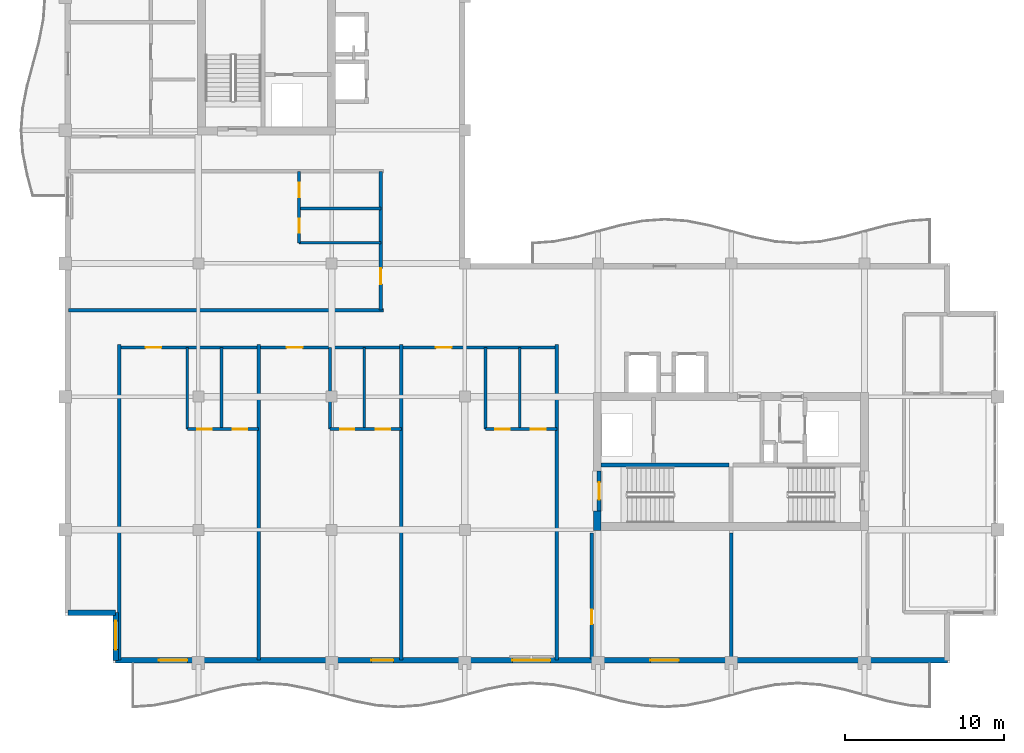
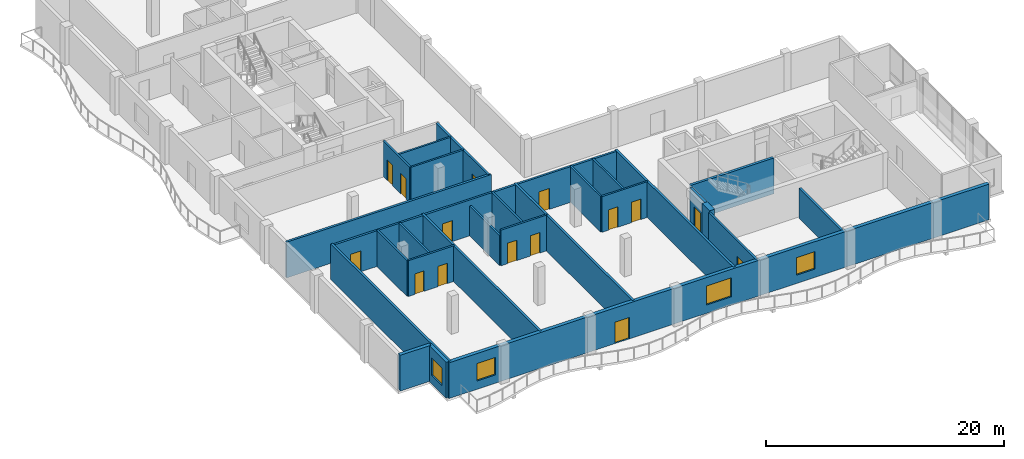
# One storey, part 6 of 14: 27 walls, 15 doors, 4 windows, 19 openings.
"""IFC4 building model written with IfcOpenShell, lengths in metres."""

from ifc_helpers import new_model, si_unit, direction, frame, frame_2d, origin, place, context, subcontext, project, spatial, rectangle, extrude, material, layer, layer_set, type_object, element, fill, save


model = new_model("IFC4")

# Units and contexts
model_context = context("Model", 3, precision=1e-05, world=origin(), true_north=direction((0.0, 1.0)))
body_context = subcontext(model_context, "Body", "Model", "MODEL_VIEW")
ifc_project = project(units=[si_unit("LENGTHUNIT", "METRE"), si_unit("AREAUNIT", "SQUARE_METRE"), si_unit("VOLUMEUNIT", "CUBIC_METRE"), si_unit("PLANEANGLEUNIT", "RADIAN"), si_unit("MASSUNIT", "GRAM", prefix="KILO")], contexts=[model_context])

# Site, building, storey
site_placement = place(None, origin())
site = spatial("IfcSite", under=ifc_project, at=site_placement, CompositionType="ELEMENT")
building_placement = place(site_placement, origin())
building = spatial("IfcBuilding", under=site, at=building_placement, Name="Koriwani Terraces Tower", CompositionType="ELEMENT")
storey_placement = place(building_placement, frame((0.0, 0.0, 308.60009765625)))
storey = spatial("IfcBuildingStorey", under=building, at=storey_placement, Name="L76", CompositionType="ELEMENT", Elevation=308.60009765625)

# Wall
ifc_material_1 = material(Name="Concrete C50/60", Category="concrete")
ifc_layer_1 = layer(ifc_material_1, 0.5, Name="Concrete C50/60")
ifc_layer_set_1 = layer_set([ifc_layer_1], Name="Concrete C50/60")
wall_type_1 = type_object("IfcWallType", Name="WALL_CORE_RC_500", PredefinedType="SHEAR", material=ifc_layer_set_1)
wall_1_placement = place(storey_placement, frame((41.949951171875, 16.75, 0.0), z_axis=(0.0, 0.0, 1.0), x_axis=(0.0, 1.0, 0.0)))
element("IfcWall", 1, at=wall_1_placement, inside=storey, type_object=wall_type_1, Name="L76 East Split Core Shear Wall W1", PredefinedType="SHEAR", context=body_context, shape_type="SweptSolid", body=[
    extrude(rectangle(XDim=1.25, YDim=0.5, at=frame_2d((0.625, 0.0))), origin(), (0.0, 0.0, 1.0), 3.669921875),
])

# Wall, opening, door
ifc_material_2 = material(Name="Autoclaved Cellular Concrete Blockwork", Category="masonry")
ifc_layer_2 = layer(ifc_material_2, 0.199951171875, Name="Autoclaved Cellular Concrete Blockwork")
ifc_layer_set_2 = layer_set([ifc_layer_2], Name="Autoclaved Cellular Concrete Blockwork")
wall_type_2 = type_object("IfcWallType", Name="WALL_CORRIDOR_200", PredefinedType="PARTITIONING", material=ifc_layer_set_2)
wall_2_placement = place(storey_placement, frame((41.60009765625, 8.64990234375, 0.0), z_axis=(0.0, 0.0, 1.0), x_axis=(0.0, 1.0, 0.0)))
wall_2 = element("IfcWall", 2, at=wall_2_placement, inside=storey, type_object=wall_type_2, Name="L76 Interior Wall WRZ4-EW-L76", PredefinedType="PARTITIONING", context=body_context, shape_type="SweptSolid", body=[
    extrude(rectangle(XDim=7.9501953125, YDim=0.199951171875, at=frame_2d((3.97509765625, 0.0))), origin(), (0.0, 0.0, 1.0), 3.669921875),
])
opening_1_placement = place(wall_2_placement, frame((2.199951171875, 0.0, 0.0)))
opening_1 = element("IfcOpeningElement", 3, at=opening_1_placement, cuts=wall_2, Name="Opening D-06", PredefinedType="OPENING", context=body_context, shape_type="SweptSolid", body=[
    extrude(rectangle(XDim=0.919921875, YDim=2.10009765625, at=frame_2d((0.4599609375, 1.050048828125))), frame((0.0, 0.10986328125, 0.0), z_axis=(0.0, -1.0, 0.0), x_axis=(1.0, 0.0, 0.0)), (0.0, 0.0, 1.0), 0.219970703125),
])
ifc_material_3 = material(Name="Architectural Oak Fire Door", Category="wood")
door_type_1 = type_object("IfcDoorType", Name="DOOR_ROOM_INT_920X2100", OperationType="NOTDEFINED", PredefinedType="DOOR", material=ifc_material_3)
door_1_placement = place(opening_1_placement, origin())
door_1 = element("IfcDoor", 4, at=door_1_placement, inside=storey, type_object=door_type_1, Name="L76 Resident Library Study Door", OperationType="SINGLE_SWING_RIGHT", OverallHeight=2.10009765625, OverallWidth=0.919921875, PredefinedType="DOOR", context=body_context, shape_type="SweptSolid", body=[
    extrude(rectangle(XDim=0.919921875, YDim=2.10009765625, at=frame_2d((0.4599609375, 1.050048828125))), frame((0.0, 0.02490234375, 0.0), z_axis=(0.0, -1.0, 0.0), x_axis=(1.0, 0.0, 0.0)), (0.0, 0.0, 1.0), 0.050048828125),
])
fill(opening_1, door_1)

# Wall, openings, doors
wall_3_placement = place(storey_placement, frame((11.800048828125, 28.300048828125, 0.0), z_axis=(0.0, 0.0, 1.0), x_axis=(1.0, 0.0, 0.0)))
wall_3 = element("IfcWall", 5, at=wall_3_placement, inside=storey, type_object=wall_type_2, Name="L76 Interior Wall WRCOR-L76-SW-0", PredefinedType="PARTITIONING", context=body_context, shape_type="SweptSolid", body=[
    extrude(rectangle(XDim=27.599853515625, YDim=0.199951171875, at=frame_2d((13.7998046875, 0.0))), origin(), (0.0, 0.0, 1.0), 3.669921875),
])
opening_2_placement = place(wall_3_placement, frame((1.669921875, 0.0, 0.0)))
opening_2 = element("IfcOpeningElement", 6, at=opening_2_placement, cuts=wall_3, Name="Opening D-05", PredefinedType="OPENING", context=body_context, shape_type="SweptSolid", body=[
    extrude(rectangle(XDim=1.0, YDim=2.14990234375, at=frame_2d((0.5, 1.074951171875))), frame((0.0, 0.10986328125, 0.0), z_axis=(0.0, -1.0, 0.0), x_axis=(1.0, 0.0, 0.0)), (0.0, 0.0, 1.0), 0.219970703125),
])
opening_3_placement = place(wall_3_placement, frame((10.570068359375, 0.0, 0.0)))
opening_3 = element("IfcOpeningElement", 7, at=opening_3_placement, cuts=wall_3, Name="Opening D-05", PredefinedType="OPENING", context=body_context, shape_type="SweptSolid", body=[
    extrude(rectangle(XDim=1.0, YDim=2.14990234375, at=frame_2d((0.5, 1.074951171875))), frame((0.0, 0.10986328125, 0.0), z_axis=(0.0, -1.0, 0.0), x_axis=(1.0, 0.0, 0.0)), (0.0, 0.0, 1.0), 0.219970703125),
])
opening_4_placement = place(wall_3_placement, frame((19.969970703125, 0.0, 0.0)))
opening_4 = element("IfcOpeningElement", 8, at=opening_4_placement, cuts=wall_3, Name="Opening D-05", PredefinedType="OPENING", context=body_context, shape_type="SweptSolid", body=[
    extrude(rectangle(XDim=1.0, YDim=2.14990234375, at=frame_2d((0.5, 1.074951171875))), frame((0.0, 0.10986328125, 0.0), z_axis=(0.0, -1.0, 0.0), x_axis=(1.0, 0.0, 0.0)), (0.0, 0.0, 1.0), 0.219970703125),
])
door_type_2 = type_object("IfcDoorType", Name="DOOR_SUITE_ENTRY_1000X2150", OperationType="NOTDEFINED", PredefinedType="DOOR", material=ifc_material_3)
door_2_placement = place(opening_2_placement, origin())
door_2 = element("IfcDoor", 9, at=door_2_placement, inside=storey, type_object=door_type_2, Name="Apartment 76SW1 Entrance Door", OperationType="SINGLE_SWING_RIGHT", OverallHeight=2.14990234375, OverallWidth=1.0, PredefinedType="DOOR", context=body_context, shape_type="SweptSolid", body=[
    extrude(rectangle(XDim=1.0, YDim=2.14990234375, at=frame_2d((0.5, 1.074951171875))), frame((0.0, 0.02490234375, 0.0), z_axis=(0.0, -1.0, 0.0), x_axis=(1.0, 0.0, 0.0)), (0.0, 0.0, 1.0), 0.050048828125),
])
fill(opening_2, door_2)
door_3_placement = place(opening_3_placement, origin())
door_3 = element("IfcDoor", 10, at=door_3_placement, inside=storey, type_object=door_type_2, Name="Apartment 76SW2 Entrance Door", OperationType="SINGLE_SWING_LEFT", OverallHeight=2.14990234375, OverallWidth=1.0, PredefinedType="DOOR", context=body_context, shape_type="SweptSolid", body=[
    extrude(rectangle(XDim=1.0, YDim=2.14990234375, at=frame_2d((0.5, 1.074951171875))), frame((0.0, 0.02490234375, 0.0), z_axis=(0.0, -1.0, 0.0), x_axis=(1.0, 0.0, 0.0)), (0.0, 0.0, 1.0), 0.050048828125),
])
fill(opening_3, door_3)
door_4_placement = place(opening_4_placement, origin())
door_4 = element("IfcDoor", 11, at=door_4_placement, inside=storey, type_object=door_type_2, Name="Apartment 76SW3 Entrance Door", OperationType="SINGLE_SWING_RIGHT", OverallHeight=2.14990234375, OverallWidth=1.0, PredefinedType="DOOR", context=body_context, shape_type="SweptSolid", body=[
    extrude(rectangle(XDim=1.0, YDim=2.14990234375, at=frame_2d((0.5, 1.074951171875))), frame((0.0, 0.02490234375, 0.0), z_axis=(0.0, -1.0, 0.0), x_axis=(1.0, 0.0, 0.0)), (0.0, 0.0, 1.0), 0.050048828125),
])
fill(opening_4, door_4)

# Wall, opening, door
wall_4_placement = place(storey_placement, frame((28.300048828125, 30.64990234375, 0.0), z_axis=(0.0, 0.0, 1.0), x_axis=(0.0, 1.0, 0.0)))
wall_4 = element("IfcWall", 12, at=wall_4_placement, inside=storey, type_object=wall_type_2, Name="L76 Interior Wall WRCOR-L76-NE-0", PredefinedType="PARTITIONING", context=body_context, shape_type="SweptSolid", body=[
    extrude(rectangle(XDim=8.75, YDim=0.199951171875, at=frame_2d((4.375, 0.0))), origin(), (0.0, 0.0, 1.0), 3.669921875),
])
opening_5_placement = place(wall_4_placement, frame((1.64501953125, 0.0, 0.0)))
opening_5 = element("IfcOpeningElement", 13, at=opening_5_placement, cuts=wall_4, Name="Opening D-05", PredefinedType="OPENING", context=body_context, shape_type="SweptSolid", body=[
    extrude(rectangle(XDim=1.0, YDim=2.14990234375, at=frame_2d((0.5, 1.074951171875))), frame((0.0, 0.10986328125, 0.0), z_axis=(0.0, -1.0, 0.0), x_axis=(1.0, 0.0, 0.0)), (0.0, 0.0, 1.0), 0.219970703125),
])
door_5_placement = place(opening_5_placement, origin())
door_5 = element("IfcDoor", 14, at=door_5_placement, inside=storey, type_object=door_type_2, Name="Apartment 76NE1 Entrance Door", OperationType="SINGLE_SWING_LEFT", OverallHeight=2.14990234375, OverallWidth=1.0, PredefinedType="DOOR", context=body_context, shape_type="SweptSolid", body=[
    extrude(rectangle(XDim=1.0, YDim=2.14990234375, at=frame_2d((0.5, 1.074951171875))), frame((0.0, 0.02490234375, 0.0), z_axis=(0.0, -1.0, 0.0), x_axis=(1.0, 0.0, 0.0)), (0.0, 0.0, 1.0), 0.050048828125),
])
fill(opening_5, door_5)

# Walls
ifc_layer_3 = layer(ifc_material_2, 0.219970703125, Name="Autoclaved Cellular Concrete Blockwork")
ifc_layer_set_3 = layer_set([ifc_layer_3], Name="Autoclaved Cellular Concrete Blockwork")
wall_type_3 = type_object("IfcWallType", Name="WALL_DEMISING_220", PredefinedType="PARTITIONING", material=ifc_layer_set_3)
wall_5_placement = place(storey_placement, frame((50.39990234375, 8.64990234375, 0.0), z_axis=(0.0, 0.0, 1.0), x_axis=(0.0, 1.0, 0.0)))
element("IfcWall", 15, at=wall_5_placement, inside=storey, type_object=wall_type_3, Name="L76 Interior Wall WRZ4-EM-L76", PredefinedType="PARTITIONING", context=body_context, shape_type="SweptSolid", body=[
    extrude(rectangle(XDim=7.9501953125, YDim=0.219970703125, at=frame_2d((3.97509765625, 0.0))), origin(), (0.0, 0.0, 1.0), 3.06982421875),
])
for number, where, z_axis, x_axis, name in (
    (16, (11.800048828125, 8.60009765625, 0.0), (0.0, 0.0, 1.0), (0.0, 1.0, 0.0), "L76 Interior Wall WRDEM-L76-SW-0"),
    (17, (20.60009765625, 8.60009765625, 0.0), (0.0, 0.0, 1.0), (0.0, 1.0, 0.0), "L76 Interior Wall WRDEM-L76-SW-1"),
    (18, (29.60009765625, 8.60009765625, 0.0), (0.0, 0.0, 1.0), (0.0, 1.0, 0.0), "L76 Interior Wall WRDEM-L76-SW-2"),
    (19, (39.39990234375, 8.60009765625, 0.0), (0.0, 0.0, 1.0), (0.0, 1.0, 0.0), "L76 Interior Wall WRDEME-L76-SW"),
    (20, (8.60009765625, 30.64990234375, 0.0), (0.0, 0.0, 1.0), (1.0, 0.0, 0.0), "L76 Interior Wall WRDEM-L76-NE-0"),
):
    element("IfcWall", number, at=place(storey_placement, frame(where, z_axis=z_axis, x_axis=x_axis)), inside=storey, type_object=wall_type_3, Name=name, PredefinedType="PARTITIONING", context=body_context, shape_type="SweptSolid", body=[
        extrude(rectangle(XDim=19.8798828125, YDim=0.219970703125, at=frame_2d((9.93994140625, 0.0))), origin(), (0.0, 0.0, 1.0), 3.669921875),
    ])

# Wall, opening, window
ifc_layer_4 = layer(ifc_material_1, 0.35009765625, Name="Concrete C50/60")
ifc_layer_set_4 = layer_set([ifc_layer_4], Name="Concrete C50/60")
wall_type_4 = type_object("IfcWallType", Name="WALL_EXT_BRUTALIST_350", PredefinedType="STANDARD", material=ifc_layer_set_4)
wall_6_placement = place(storey_placement, frame((11.574951171875, 8.574951171875, 0.0), z_axis=(0.0, 0.0, 1.0), x_axis=(0.0, 1.0, 0.0)))
wall_6 = element("IfcWall", 21, at=wall_6_placement, inside=storey, type_object=wall_type_4, Name="L76 Fair-Faced Brutalist Exterior Wall (N0)", PredefinedType="STANDARD", context=body_context, shape_type="SweptSolid", body=[
    extrude(rectangle(XDim=3.0, YDim=0.35009765625, at=frame_2d((1.5, 0.0))), origin(), (0.0, 0.0, 1.0), 3.669921875),
])
opening_6_placement = place(wall_6_placement, frame((0.677490234375, 0.0, 0.85009765625)))
opening_6 = element("IfcOpeningElement", 22, at=opening_6_placement, cuts=wall_6, Name="Opening W-04", PredefinedType="OPENING", context=body_context, shape_type="SweptSolid", body=[
    extrude(rectangle(XDim=1.800048828125, YDim=1.800048828125, at=frame_2d((0.89990234375, 0.89990234375))), frame((0.0, 0.18505859375, 0.0), z_axis=(0.0, -1.0, 0.0), x_axis=(1.0, 0.0, 0.0)), (0.0, 0.0, 1.0), 0.3701171875),
])
ifc_material_4 = material(Name="Tempered Laminated Low-E Glass", Category="glass")
window_type_1 = type_object("IfcWindowType", Name="WIN_RES_BED_1800X1800", PartitioningType="DOUBLE_PANEL_VERTICAL", PredefinedType="WINDOW", material=ifc_material_4)
window_1_placement = place(opening_6_placement, origin())
window_1 = element("IfcWindow", 23, at=window_1_placement, inside=storey, type_object=window_type_1, Name="L76 Exterior Window (N0-R33)", OverallHeight=1.800048828125, OverallWidth=1.800048828125, PartitioningType="SINGLE_PANEL", PredefinedType="WINDOW", context=body_context, shape_type="SweptSolid", body=[
    extrude(rectangle(XDim=1.800048828125, YDim=1.800048828125, at=frame_2d((0.89990234375, 0.89990234375))), frame((0.0, 0.030029296875, 0.0), z_axis=(0.0, -1.0, 0.0), x_axis=(1.0, 0.0, 0.0)), (0.0, 0.0, 1.0), 0.06005859375),
])
fill(opening_6, window_1)

# Wall
wall_7_placement = place(storey_placement, frame((11.574951171875, 11.574951171875, 0.0), z_axis=(0.0, 0.0, 1.0), x_axis=(-1.0, 0.0, 0.0)))
element("IfcWall", 24, at=wall_7_placement, inside=storey, type_object=wall_type_4, Name="L76 Fair-Faced Brutalist Exterior Wall (N1)", PredefinedType="STANDARD", context=body_context, shape_type="SweptSolid", body=[
    extrude(rectangle(XDim=3.0, YDim=0.35009765625, at=frame_2d((1.5, 0.0))), origin(), (0.0, 0.0, 1.0), 3.669921875),
])

# Wall, openings, door, windows
wall_8_placement = place(storey_placement, frame((64.02490234375, 8.574951171875, 0.0), z_axis=(0.0, 0.0, 1.0), x_axis=(-1.0, 0.0, 0.0)))
wall_8 = element("IfcWall", 25, at=wall_8_placement, inside=storey, type_object=wall_type_4, Name="L76 Fair-Faced Brutalist Exterior Wall (S)", PredefinedType="STANDARD", context=body_context, shape_type="SweptSolid", body=[
    extrude(rectangle(XDim=52.449951171875, YDim=0.35009765625, at=frame_2d((26.22509765625, 0.0))), origin(), (0.0, 0.0, 1.0), 3.669921875),
])
opening_7_placement = place(wall_8_placement, frame((34.925048828125, 0.0, 0.0)))
opening_7 = element("IfcOpeningElement", 26, at=opening_7_placement, cuts=wall_8, Name="Opening D-09", PredefinedType="OPENING", context=body_context, shape_type="SweptSolid", body=[
    extrude(rectangle(XDim=1.39990234375, YDim=2.199951171875, at=frame_2d((0.699951171875, 1.10009765625))), frame((0.0, 0.18505859375, 0.0), z_axis=(0.0, -1.0, 0.0), x_axis=(1.0, 0.0, 0.0)), (0.0, 0.0, 1.0), 0.3701171875),
])
opening_8_placement = place(wall_8_placement, frame((25.02490234375, 0.0, 0.85009765625)))
opening_8 = element("IfcOpeningElement", 27, at=opening_8_placement, cuts=wall_8, Name="Opening W-03", PredefinedType="OPENING", context=body_context, shape_type="SweptSolid", body=[
    extrude(rectangle(XDim=2.39990234375, YDim=1.949951171875, at=frame_2d((1.199951171875, 0.97509765625))), frame((0.0, 0.18505859375, 0.0), z_axis=(0.0, -1.0, 0.0), x_axis=(1.0, 0.0, 0.0)), (0.0, 0.0, 1.0), 0.3701171875),
])
opening_9_placement = place(wall_8_placement, frame((16.925048828125, 0.0, 0.85009765625)))
opening_9 = element("IfcOpeningElement", 28, at=opening_9_placement, cuts=wall_8, Name="Opening W-04", PredefinedType="OPENING", context=body_context, shape_type="SweptSolid", body=[
    extrude(rectangle(XDim=1.800048828125, YDim=1.800048828125, at=frame_2d((0.89990234375, 0.89990234375))), frame((0.0, 0.18505859375, 0.0), z_axis=(0.0, -1.0, 0.0), x_axis=(1.0, 0.0, 0.0)), (0.0, 0.0, 1.0), 0.3701171875),
])
opening_10_placement = place(wall_8_placement, frame((47.925048828125, 0.0, 0.85009765625)))
opening_10 = element("IfcOpeningElement", 29, at=opening_10_placement, cuts=wall_8, Name="Opening W-04", PredefinedType="OPENING", context=body_context, shape_type="SweptSolid", body=[
    extrude(rectangle(XDim=1.800048828125, YDim=1.800048828125, at=frame_2d((0.89990234375, 0.89990234375))), frame((0.0, 0.18505859375, 0.0), z_axis=(0.0, -1.0, 0.0), x_axis=(1.0, 0.0, 0.0)), (0.0, 0.0, 1.0), 0.3701171875),
])
ifc_material_5 = material(Name="Anodised Bronze Aluminium", Category="aluminium")
door_type_3 = type_object("IfcDoorType", Name="DOOR_BALCONY_GLAZED_1400X2200", OperationType="NOTDEFINED", PredefinedType="DOOR", material=ifc_material_5)
door_6_placement = place(opening_7_placement, origin())
door_6 = element("IfcDoor", 30, at=door_6_placement, inside=storey, type_object=door_type_3, Name="L76 South Balcony Glazed Door", OperationType="SINGLE_SWING_LEFT", OverallHeight=2.199951171875, OverallWidth=1.39990234375, PredefinedType="DOOR", context=body_context, shape_type="SweptSolid", body=[
    extrude(rectangle(XDim=1.39990234375, YDim=2.199951171875, at=frame_2d((0.699951171875, 1.10009765625))), frame((0.0, 0.02490234375, 0.0), z_axis=(0.0, -1.0, 0.0), x_axis=(1.0, 0.0, 0.0)), (0.0, 0.0, 1.0), 0.050048828125),
])
fill(opening_7, door_6)
window_2_placement = place(opening_9_placement, origin())
window_2 = element("IfcWindow", 31, at=window_2_placement, inside=storey, type_object=window_type_1, Name="L76 Exterior Window (S-12)", OverallHeight=1.800048828125, OverallWidth=1.800048828125, PartitioningType="SINGLE_PANEL", PredefinedType="WINDOW", context=body_context, shape_type="SweptSolid", body=[
    extrude(rectangle(XDim=1.800048828125, YDim=1.800048828125, at=frame_2d((0.89990234375, 0.89990234375))), frame((0.0, 0.030029296875, 0.0), z_axis=(0.0, -1.0, 0.0), x_axis=(1.0, 0.0, 0.0)), (0.0, 0.0, 1.0), 0.06005859375),
])
fill(opening_9, window_2)
window_3_placement = place(opening_10_placement, origin())
window_3 = element("IfcWindow", 32, at=window_3_placement, inside=storey, type_object=window_type_1, Name="L76 Exterior Window (S-R33)", OverallHeight=1.800048828125, OverallWidth=1.800048828125, PartitioningType="SINGLE_PANEL", PredefinedType="WINDOW", context=body_context, shape_type="SweptSolid", body=[
    extrude(rectangle(XDim=1.800048828125, YDim=1.800048828125, at=frame_2d((0.89990234375, 0.89990234375))), frame((0.0, 0.030029296875, 0.0), z_axis=(0.0, -1.0, 0.0), x_axis=(1.0, 0.0, 0.0)), (0.0, 0.0, 1.0), 0.06005859375),
])
fill(opening_10, window_3)
window_type_2 = type_object("IfcWindowType", Name="WIN_RES_LIVING_2400X1950", PartitioningType="DOUBLE_PANEL_VERTICAL", PredefinedType="WINDOW", material=ifc_material_4)
window_4_placement = place(opening_8_placement, origin())
window_4 = element("IfcWindow", 33, at=window_4_placement, inside=storey, type_object=window_type_2, Name="L76 Exterior Window (S-9)", OverallHeight=1.949951171875, OverallWidth=2.39990234375, PartitioningType="SINGLE_PANEL", PredefinedType="WINDOW", context=body_context, shape_type="SweptSolid", body=[
    extrude(rectangle(XDim=2.39990234375, YDim=1.949951171875, at=frame_2d((1.199951171875, 0.97509765625))), frame((0.0, 0.030029296875, 0.0), z_axis=(0.0, -1.0, 0.0), x_axis=(1.0, 0.0, 0.0)), (0.0, 0.0, 1.0), 0.06005859375),
])
fill(opening_8, window_4)

# Wall, openings, doors
ifc_material_6 = material(Name="Fire-Rated Acoustic Gypsum Partition", Category="masonry")
ifc_layer_5 = layer(ifc_material_6, 0.179931640625, Name="Fire-Rated Acoustic Gypsum Partition")
ifc_layer_set_5 = layer_set([ifc_layer_5], Name="Fire-Rated Acoustic Gypsum Partition")
wall_type_5 = type_object("IfcWallType", Name="WALL_PLUMBING_180", PredefinedType="PLUMBINGWALL", material=ifc_layer_set_5)
wall_9_placement = place(storey_placement, frame((16.10009765625, 23.14990234375, 0.0), z_axis=(0.0, 0.0, 1.0), x_axis=(1.0, 0.0, 0.0)))
wall_9 = element("IfcWall", 34, at=wall_9_placement, inside=storey, type_object=wall_type_5, Name="L76 Interior Wall WRSVC-L76-SW-0", PredefinedType="PLUMBINGWALL", context=body_context, shape_type="SweptSolid", body=[
    extrude(rectangle(XDim=4.5, YDim=0.179931640625, at=frame_2d((2.25, 0.0))), origin(), (0.0, 0.0, 1.0), 3.669921875),
])
opening_11_placement = place(wall_9_placement, frame((0.6298828125, 0.0, 0.0)))
opening_11 = element("IfcOpeningElement", 35, at=opening_11_placement, cuts=wall_9, Name="Opening D-07", PredefinedType="OPENING", context=body_context, shape_type="SweptSolid", body=[
    extrude(rectangle(XDim=0.89990234375, YDim=2.10009765625, at=frame_2d((0.449951171875, 1.050048828125))), frame((0.0, 0.10009765625, 0.0), z_axis=(0.0, -1.0, 0.0), x_axis=(1.0, 0.0, 0.0)), (0.0, 0.0, 1.0), 0.199951171875),
])
opening_12_placement = place(wall_9_placement, frame((2.8701171875, 0.0, 0.0)))
opening_12 = element("IfcOpeningElement", 36, at=opening_12_placement, cuts=wall_9, Name="Opening D-06", PredefinedType="OPENING", context=body_context, shape_type="SweptSolid", body=[
    extrude(rectangle(XDim=0.919921875, YDim=2.10009765625, at=frame_2d((0.4599609375, 1.050048828125))), frame((0.0, 0.10009765625, 0.0), z_axis=(0.0, -1.0, 0.0), x_axis=(1.0, 0.0, 0.0)), (0.0, 0.0, 1.0), 0.199951171875),
])
door_type_4 = type_object("IfcDoorType", Name="DOOR_BATH_INT_900X2100", OperationType="NOTDEFINED", PredefinedType="DOOR", material=ifc_material_3)
door_7_placement = place(opening_11_placement, origin())
door_7 = element("IfcDoor", 37, at=door_7_placement, inside=storey, type_object=door_type_4, Name="Apartment 76SW1 Bathroom Door", OperationType="SINGLE_SWING_LEFT", OverallHeight=2.10009765625, OverallWidth=0.89990234375, PredefinedType="DOOR", context=body_context, shape_type="SweptSolid", body=[
    extrude(rectangle(XDim=0.89990234375, YDim=2.10009765625, at=frame_2d((0.449951171875, 1.050048828125))), frame((0.0, 0.02490234375, 0.0), z_axis=(0.0, -1.0, 0.0), x_axis=(1.0, 0.0, 0.0)), (0.0, 0.0, 1.0), 0.050048828125),
])
fill(opening_11, door_7)
door_8_placement = place(opening_12_placement, origin())
door_8 = element("IfcDoor", 38, at=door_8_placement, inside=storey, type_object=door_type_1, Name="Apartment 76SW1 Kitchen Door", OperationType="SINGLE_SWING_RIGHT", OverallHeight=2.10009765625, OverallWidth=0.919921875, PredefinedType="DOOR", context=body_context, shape_type="SweptSolid", body=[
    extrude(rectangle(XDim=0.919921875, YDim=2.10009765625, at=frame_2d((0.4599609375, 1.050048828125))), frame((0.0, 0.02490234375, 0.0), z_axis=(0.0, -1.0, 0.0), x_axis=(1.0, 0.0, 0.0)), (0.0, 0.0, 1.0), 0.050048828125),
])
fill(opening_12, door_8)

# Walls
for number, where, z_axis, x_axis, name in (
    (39, (16.10009765625, 23.14990234375, 0.0), (0.0, 0.0, 1.0), (0.0, 1.0, 0.0), "L76 Interior Wall WRSVCS-L76-SW-0"),
    (40, (18.260009765625, 23.14990234375, 0.0), (0.0, 0.0, 1.0), (0.0, 1.0, 0.0), "L76 Interior Wall WRSVCM-L76-SW-0"),
):
    element("IfcWall", number, at=place(storey_placement, frame(where, z_axis=z_axis, x_axis=x_axis)), inside=storey, type_object=wall_type_5, Name=name, PredefinedType="PLUMBINGWALL", context=body_context, shape_type="SweptSolid", body=[
        extrude(rectangle(XDim=5.150146484375, YDim=0.179931640625, at=frame_2d((2.5751953125, 0.0))), origin(), (0.0, 0.0, 1.0), 3.669921875),
    ])

# Wall, openings, doors
wall_10_placement = place(storey_placement, frame((25.10009765625, 23.14990234375, 0.0), z_axis=(0.0, 0.0, 1.0), x_axis=(1.0, 0.0, 0.0)))
wall_10 = element("IfcWall", 41, at=wall_10_placement, inside=storey, type_object=wall_type_5, Name="L76 Interior Wall WRSVC-L76-SW-1", PredefinedType="PLUMBINGWALL", context=body_context, shape_type="SweptSolid", body=[
    extrude(rectangle(XDim=4.5, YDim=0.179931640625, at=frame_2d((2.25, 0.0))), origin(), (0.0, 0.0, 1.0), 3.669921875),
])
opening_13_placement = place(wall_10_placement, frame((0.6298828125, 0.0, 0.0)))
opening_13 = element("IfcOpeningElement", 42, at=opening_13_placement, cuts=wall_10, Name="Opening D-07", PredefinedType="OPENING", context=body_context, shape_type="SweptSolid", body=[
    extrude(rectangle(XDim=0.89990234375, YDim=2.10009765625, at=frame_2d((0.449951171875, 1.050048828125))), frame((0.0, 0.10009765625, 0.0), z_axis=(0.0, -1.0, 0.0), x_axis=(1.0, 0.0, 0.0)), (0.0, 0.0, 1.0), 0.199951171875),
])
opening_14_placement = place(wall_10_placement, frame((2.8701171875, 0.0, 0.0)))
opening_14 = element("IfcOpeningElement", 43, at=opening_14_placement, cuts=wall_10, Name="Opening D-06", PredefinedType="OPENING", context=body_context, shape_type="SweptSolid", body=[
    extrude(rectangle(XDim=0.919921875, YDim=2.10009765625, at=frame_2d((0.4599609375, 1.050048828125))), frame((0.0, 0.10009765625, 0.0), z_axis=(0.0, -1.0, 0.0), x_axis=(1.0, 0.0, 0.0)), (0.0, 0.0, 1.0), 0.199951171875),
])
door_9_placement = place(opening_13_placement, origin())
door_9 = element("IfcDoor", 44, at=door_9_placement, inside=storey, type_object=door_type_4, Name="Apartment 76SW2 Bathroom Door", OperationType="SINGLE_SWING_RIGHT", OverallHeight=2.10009765625, OverallWidth=0.89990234375, PredefinedType="DOOR", context=body_context, shape_type="SweptSolid", body=[
    extrude(rectangle(XDim=0.89990234375, YDim=2.10009765625, at=frame_2d((0.449951171875, 1.050048828125))), frame((0.0, 0.02490234375, 0.0), z_axis=(0.0, -1.0, 0.0), x_axis=(1.0, 0.0, 0.0)), (0.0, 0.0, 1.0), 0.050048828125),
])
fill(opening_13, door_9)
door_10_placement = place(opening_14_placement, origin())
door_10 = element("IfcDoor", 45, at=door_10_placement, inside=storey, type_object=door_type_1, Name="Apartment 76SW2 Kitchen Door", OperationType="SINGLE_SWING_LEFT", OverallHeight=2.10009765625, OverallWidth=0.919921875, PredefinedType="DOOR", context=body_context, shape_type="SweptSolid", body=[
    extrude(rectangle(XDim=0.919921875, YDim=2.10009765625, at=frame_2d((0.4599609375, 1.050048828125))), frame((0.0, 0.02490234375, 0.0), z_axis=(0.0, -1.0, 0.0), x_axis=(1.0, 0.0, 0.0)), (0.0, 0.0, 1.0), 0.050048828125),
])
fill(opening_14, door_10)

# Walls
wall_11_placement = place(storey_placement, frame((25.10009765625, 23.14990234375, 0.0), z_axis=(0.0, 0.0, 1.0), x_axis=(0.0, 1.0, 0.0)))
element("IfcWall", 46, at=wall_11_placement, inside=storey, type_object=wall_type_5, Name="L76 Interior Wall WRSVCS-L76-SW-1", PredefinedType="PLUMBINGWALL", context=body_context, shape_type="SweptSolid", body=[
    extrude(rectangle(XDim=5.150146484375, YDim=0.179931640625, at=frame_2d((2.5751953125, 0.0))), origin(), (0.0, 0.0, 1.0), 3.06982421875),
])
wall_12_placement = place(storey_placement, frame((27.260009765625, 23.14990234375, 0.0), z_axis=(0.0, 0.0, 1.0), x_axis=(0.0, 1.0, 0.0)))
element("IfcWall", 47, at=wall_12_placement, inside=storey, type_object=wall_type_5, Name="L76 Interior Wall WRSVCM-L76-SW-1", PredefinedType="PLUMBINGWALL", context=body_context, shape_type="SweptSolid", body=[
    extrude(rectangle(XDim=5.150146484375, YDim=0.179931640625, at=frame_2d((2.5751953125, 0.0))), origin(), (0.0, 0.0, 1.0), 3.669921875),
])

# Wall, openings, doors
wall_13_placement = place(storey_placement, frame((34.89990234375, 23.14990234375, 0.0), z_axis=(0.0, 0.0, 1.0), x_axis=(1.0, 0.0, 0.0)))
wall_13 = element("IfcWall", 48, at=wall_13_placement, inside=storey, type_object=wall_type_5, Name="L76 Interior Wall WRSVC-L76-SW-2", PredefinedType="PLUMBINGWALL", context=body_context, shape_type="SweptSolid", body=[
    extrude(rectangle(XDim=4.5, YDim=0.179931640625, at=frame_2d((2.25, 0.0))), origin(), (0.0, 0.0, 1.0), 3.669921875),
])
opening_15_placement = place(wall_13_placement, frame((0.6298828125, 0.0, 0.0)))
opening_15 = element("IfcOpeningElement", 49, at=opening_15_placement, cuts=wall_13, Name="Opening D-07", PredefinedType="OPENING", context=body_context, shape_type="SweptSolid", body=[
    extrude(rectangle(XDim=0.89990234375, YDim=2.10009765625, at=frame_2d((0.449951171875, 1.050048828125))), frame((0.0, 0.10009765625, 0.0), z_axis=(0.0, -1.0, 0.0), x_axis=(1.0, 0.0, 0.0)), (0.0, 0.0, 1.0), 0.199951171875),
])
opening_16_placement = place(wall_13_placement, frame((2.8701171875, 0.0, 0.0)))
opening_16 = element("IfcOpeningElement", 50, at=opening_16_placement, cuts=wall_13, Name="Opening D-06", PredefinedType="OPENING", context=body_context, shape_type="SweptSolid", body=[
    extrude(rectangle(XDim=0.919921875, YDim=2.10009765625, at=frame_2d((0.4599609375, 1.050048828125))), frame((0.0, 0.10009765625, 0.0), z_axis=(0.0, -1.0, 0.0), x_axis=(1.0, 0.0, 0.0)), (0.0, 0.0, 1.0), 0.199951171875),
])
door_11_placement = place(opening_15_placement, origin())
door_11 = element("IfcDoor", 51, at=door_11_placement, inside=storey, type_object=door_type_4, Name="Apartment 76SW3 Bathroom Door", OperationType="SINGLE_SWING_LEFT", OverallHeight=2.10009765625, OverallWidth=0.89990234375, PredefinedType="DOOR", context=body_context, shape_type="SweptSolid", body=[
    extrude(rectangle(XDim=0.89990234375, YDim=2.10009765625, at=frame_2d((0.449951171875, 1.050048828125))), frame((0.0, 0.02490234375, 0.0), z_axis=(0.0, -1.0, 0.0), x_axis=(1.0, 0.0, 0.0)), (0.0, 0.0, 1.0), 0.050048828125),
])
fill(opening_15, door_11)
door_12_placement = place(opening_16_placement, origin())
door_12 = element("IfcDoor", 52, at=door_12_placement, inside=storey, type_object=door_type_1, Name="Apartment 76SW3 Kitchen Door", OperationType="SINGLE_SWING_RIGHT", OverallHeight=2.10009765625, OverallWidth=0.919921875, PredefinedType="DOOR", context=body_context, shape_type="SweptSolid", body=[
    extrude(rectangle(XDim=0.919921875, YDim=2.10009765625, at=frame_2d((0.4599609375, 1.050048828125))), frame((0.0, 0.02490234375, 0.0), z_axis=(0.0, -1.0, 0.0), x_axis=(1.0, 0.0, 0.0)), (0.0, 0.0, 1.0), 0.050048828125),
])
fill(opening_16, door_12)

# Walls
for number, where, z_axis, x_axis, name in (
    (53, (34.89990234375, 23.14990234375, 0.0), (0.0, 0.0, 1.0), (0.0, 1.0, 0.0), "L76 Interior Wall WRSVCS-L76-SW-2"),
    (54, (37.06005859375, 23.14990234375, 0.0), (0.0, 0.0, 1.0), (0.0, 1.0, 0.0), "L76 Interior Wall WRSVCM-L76-SW-2"),
):
    element("IfcWall", number, at=place(storey_placement, frame(where, z_axis=z_axis, x_axis=x_axis)), inside=storey, type_object=wall_type_5, Name=name, PredefinedType="PLUMBINGWALL", context=body_context, shape_type="SweptSolid", body=[
        extrude(rectangle(XDim=5.150146484375, YDim=0.179931640625, at=frame_2d((2.5751953125, 0.0))), origin(), (0.0, 0.0, 1.0), 3.669921875),
    ])

# Wall, openings, doors
wall_14_placement = place(storey_placement, frame((23.14990234375, 34.89990234375, 0.0), z_axis=(0.0, 0.0, 1.0), x_axis=(0.0, 1.0, 0.0)))
wall_14 = element("IfcWall", 55, at=wall_14_placement, inside=storey, type_object=wall_type_5, Name="L76 Interior Wall WRSVC-L76-NE-0", PredefinedType="PLUMBINGWALL", context=body_context, shape_type="SweptSolid", body=[
    extrude(rectangle(XDim=4.5, YDim=0.179931640625, at=frame_2d((2.25, 0.0))), origin(), (0.0, 0.0, 1.0), 3.669921875),
])
opening_17_placement = place(wall_14_placement, frame((0.6298828125, 0.0, 0.0)))
opening_17 = element("IfcOpeningElement", 56, at=opening_17_placement, cuts=wall_14, Name="Opening D-07", PredefinedType="OPENING", context=body_context, shape_type="SweptSolid", body=[
    extrude(rectangle(XDim=0.89990234375, YDim=2.10009765625, at=frame_2d((0.449951171875, 1.050048828125))), frame((0.0, 0.10009765625, 0.0), z_axis=(0.0, -1.0, 0.0), x_axis=(1.0, 0.0, 0.0)), (0.0, 0.0, 1.0), 0.199951171875),
])
opening_18_placement = place(wall_14_placement, frame((2.8701171875, 0.0, 0.0)))
opening_18 = element("IfcOpeningElement", 57, at=opening_18_placement, cuts=wall_14, Name="Opening D-06", PredefinedType="OPENING", context=body_context, shape_type="SweptSolid", body=[
    extrude(rectangle(XDim=0.919921875, YDim=2.10009765625, at=frame_2d((0.4599609375, 1.050048828125))), frame((0.0, 0.10009765625, 0.0), z_axis=(0.0, -1.0, 0.0), x_axis=(1.0, 0.0, 0.0)), (0.0, 0.0, 1.0), 0.199951171875),
])
door_13_placement = place(opening_17_placement, origin())
door_13 = element("IfcDoor", 58, at=door_13_placement, inside=storey, type_object=door_type_4, Name="Apartment 76NE1 Bathroom Door", OperationType="SINGLE_SWING_RIGHT", OverallHeight=2.10009765625, OverallWidth=0.89990234375, PredefinedType="DOOR", context=body_context, shape_type="SweptSolid", body=[
    extrude(rectangle(XDim=0.89990234375, YDim=2.10009765625, at=frame_2d((0.449951171875, 1.050048828125))), frame((0.0, 0.02490234375, 0.0), z_axis=(0.0, -1.0, 0.0), x_axis=(1.0, 0.0, 0.0)), (0.0, 0.0, 1.0), 0.050048828125),
])
fill(opening_17, door_13)
door_14_placement = place(opening_18_placement, origin())
door_14 = element("IfcDoor", 59, at=door_14_placement, inside=storey, type_object=door_type_1, Name="Apartment 76NE1 Kitchen Door", OperationType="SINGLE_SWING_LEFT", OverallHeight=2.10009765625, OverallWidth=0.919921875, PredefinedType="DOOR", context=body_context, shape_type="SweptSolid", body=[
    extrude(rectangle(XDim=0.919921875, YDim=2.10009765625, at=frame_2d((0.4599609375, 1.050048828125))), frame((0.0, 0.02490234375, 0.0), z_axis=(0.0, -1.0, 0.0), x_axis=(1.0, 0.0, 0.0)), (0.0, 0.0, 1.0), 0.050048828125),
])
fill(opening_18, door_14)

# Walls
for number, where, z_axis, x_axis, name in (
    (60, (23.14990234375, 34.89990234375, 0.0), (0.0, 0.0, 1.0), (1.0, 0.0, 0.0), "L76 Interior Wall WRSVCS-L76-NE-0"),
    (61, (23.14990234375, 37.06005859375, 0.0), (0.0, 0.0, 1.0), (1.0, 0.0, 0.0), "L76 Interior Wall WRSVCM-L76-NE-0"),
):
    element("IfcWall", number, at=place(storey_placement, frame(where, z_axis=z_axis, x_axis=x_axis)), inside=storey, type_object=wall_type_5, Name=name, PredefinedType="PLUMBINGWALL", context=body_context, shape_type="SweptSolid", body=[
        extrude(rectangle(XDim=5.150146484375, YDim=0.179931640625, at=frame_2d((2.5751953125, 0.0))), origin(), (0.0, 0.0, 1.0), 3.669921875),
    ])
ifc_material_7 = material(Name="Concrete C40/50", Category="concrete")
ifc_layer_6 = layer(ifc_material_7, 0.25, Name="Concrete C40/50")
ifc_layer_set_6 = layer_set([ifc_layer_6], Name="Concrete C40/50")
wall_type_6 = type_object("IfcWallType", Name="WALL_SHAFT_RATED_250", PredefinedType="SOLIDWALL", material=ifc_layer_set_6)
wall_15_placement = place(storey_placement, frame((42.199951171875, 20.875, 0.0), z_axis=(0.0, 0.0, 1.0), x_axis=(1.0, 0.0, 0.0)))
element("IfcWall", 62, at=wall_15_placement, inside=storey, type_object=wall_type_6, Name="L76 East Split Core Web Wall MID1", PredefinedType="SOLIDWALL", context=body_context, shape_type="SweptSolid", body=[
    extrude(rectangle(XDim=8.050048828125, YDim=0.25, at=frame_2d((4.02490234375, 0.0))), origin(), (0.0, 0.0, 1.0), 3.669921875),
])

# Wall, opening, door
wall_16_placement = place(storey_placement, frame((42.074951171875, 18.0, 0.0), z_axis=(0.0, 0.0, 1.0), x_axis=(0.0, 1.0, 0.0)))
wall_16 = element("IfcWall", 63, at=wall_16_placement, inside=storey, type_object=wall_type_6, Name="L76 Interior Wall WIN-CE-L76-STW", PredefinedType="SOLIDWALL", context=body_context, shape_type="SweptSolid", body=[
    extrude(rectangle(XDim=2.5, YDim=0.25, at=frame_2d((1.25, 0.0))), origin(), (0.0, 0.0, 1.0), 3.669921875),
])
opening_19_placement = place(wall_16_placement, frame((0.699951171875, 0.0, 0.0)))
opening_19 = element("IfcOpeningElement", 64, at=opening_19_placement, cuts=wall_16, Name="Opening D-03", PredefinedType="OPENING", context=body_context, shape_type="SweptSolid", body=[
    extrude(rectangle(XDim=1.10009765625, YDim=2.14990234375, at=frame_2d((0.550048828125, 1.074951171875))), frame((0.0, 0.135009765625, 0.0), z_axis=(0.0, -1.0, 0.0), x_axis=(1.0, 0.0, 0.0)), (0.0, 0.0, 1.0), 0.27001953125),
])
ifc_material_8 = material(Name="Steel ASTM A572 Grade 50", Category="steel")
door_type_5 = type_object("IfcDoorType", Name="DOOR_STAIR_FIRE_1100X2150", OperationType="NOTDEFINED", PredefinedType="DOOR", material=ifc_material_8)
door_15_placement = place(opening_19_placement, origin())
door_15 = element("IfcDoor", 65, at=door_15_placement, inside=storey, type_object=door_type_5, Name="L76 Exit Stair ST-E1 Door", OperationType="SINGLE_SWING_RIGHT", OverallHeight=2.14990234375, OverallWidth=1.10009765625, PredefinedType="DOOR", context=body_context, shape_type="SweptSolid", body=[
    extrude(rectangle(XDim=1.10009765625, YDim=2.14990234375, at=frame_2d((0.550048828125, 1.074951171875))), frame((0.0, 0.02490234375, 0.0), z_axis=(0.0, -1.0, 0.0), x_axis=(1.0, 0.0, 0.0)), (0.0, 0.0, 1.0), 0.050048828125),
])
fill(opening_19, door_15)

save(model, "model.ifc")
